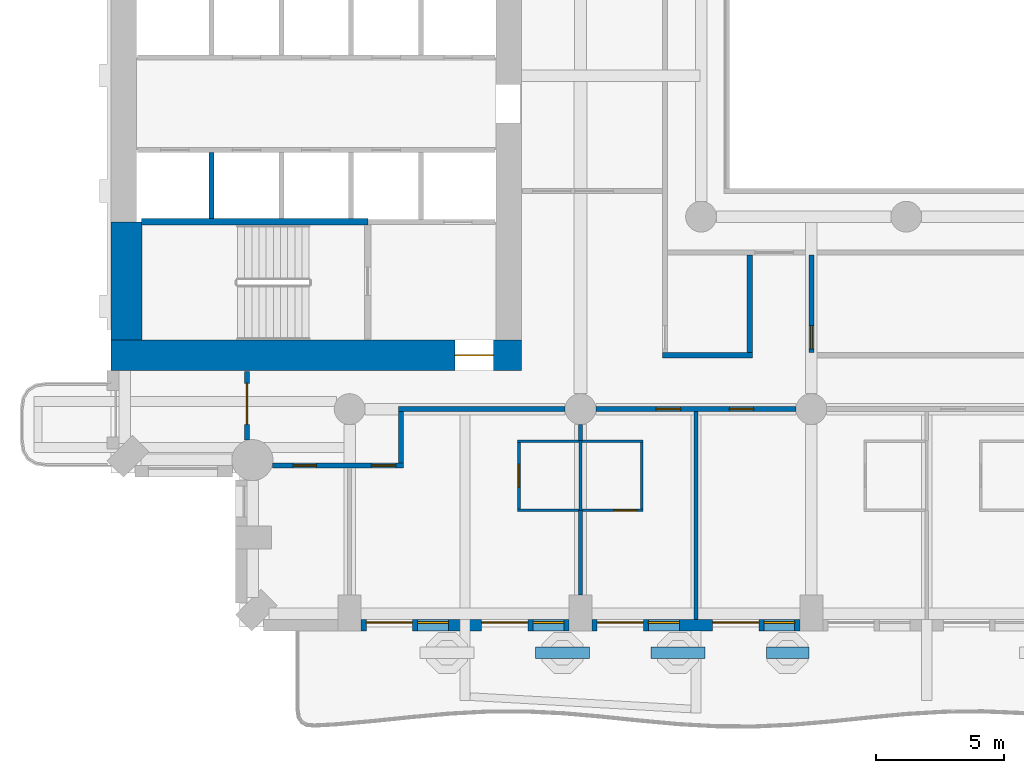
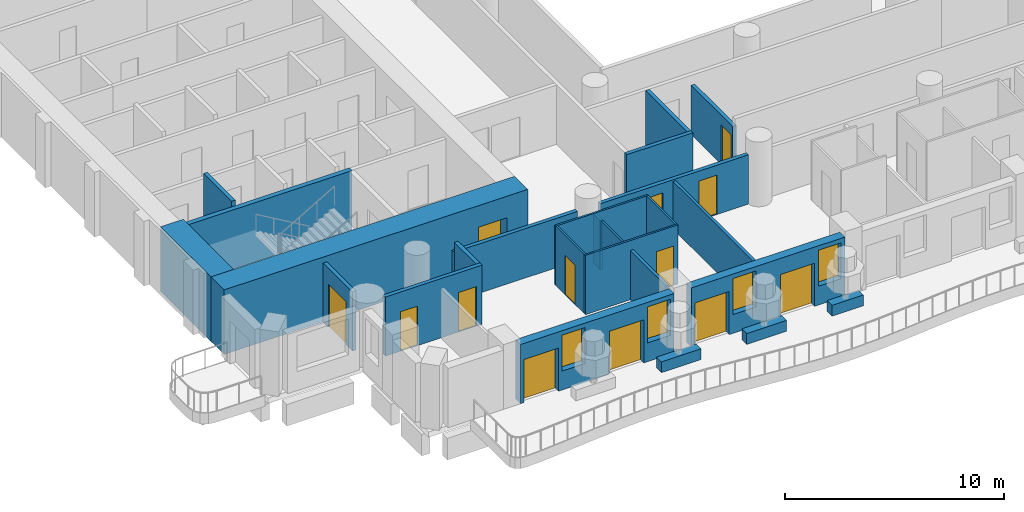
# One storey, part 3 of 20: 25 walls, 13 doors, 4 windows, 17 openings.
"""IFC4 building model written with IfcOpenShell, lengths in metres."""

from ifc_helpers import new_model, si_unit, direction, frame, frame_2d, origin, place, context, subcontext, project, spatial, rectangle, extrude, material, layer, layer_set, type_object, element, fill, save


model = new_model("IFC4")

# Units and contexts
model_context = context("Model", 3, precision=1e-05, world=origin(), true_north=direction((0.0, 1.0)))
body_context = subcontext(model_context, "Body", "Model", "MODEL_VIEW")
ifc_project = project(units=[si_unit("LENGTHUNIT", "METRE"), si_unit("AREAUNIT", "SQUARE_METRE"), si_unit("VOLUMEUNIT", "CUBIC_METRE"), si_unit("PLANEANGLEUNIT", "RADIAN"), si_unit("MASSUNIT", "GRAM", prefix="KILO")], contexts=[model_context])

# Site, building, storey
site_placement = place(None, origin())
site = spatial("IfcSite", under=ifc_project, at=site_placement, CompositionType="ELEMENT")
building_placement = place(site_placement, origin())
building = spatial("IfcBuilding", under=site, at=building_placement, Name="Cypress Arch Tower", CompositionType="ELEMENT")
storey_placement = place(building_placement, frame((0.0, 0.0, 55.5)))
storey = spatial("IfcBuildingStorey", under=building, at=storey_placement, Name="L07", CompositionType="ELEMENT", Elevation=55.5)

# Walls
ifc_material_1 = material(Name="Concrete C40/50, waterproofed", Category="concrete")
ifc_layer_1 = layer(ifc_material_1, 0.449951171875)
ifc_layer_set_1 = layer_set([ifc_layer_1], Name="Balcony planter wall PW450")
wall_type_1 = type_object("IfcWallType", Name="Balcony planter wall PW450", PredefinedType="SOLIDWALL", material=ifc_layer_set_1)
for number, where, z_axis, x_axis, name in (
    (1, (-13.449951171875, -27.0, 0.0), (0.0, 0.0, 1.0), (1.0, 0.0, 0.0), "Balcony planter wall L07-A03.2"),
    (2, (-8.949951171875, -27.0, 0.0), (0.0, 0.0, 1.0), (1.0, 0.0, 0.0), "Balcony planter wall L07-A03.3"),
):
    element("IfcWall", number, at=place(storey_placement, frame(where, z_axis=z_axis, x_axis=x_axis)), inside=storey, type_object=wall_type_1, Name=name, PredefinedType="SOLIDWALL", context=body_context, shape_type="SweptSolid", body=[
        extrude(rectangle(XDim=2.099853515625, YDim=0.449951171875, at=frame_2d((1.0498046875, 0.0))), origin(), (0.0, 0.0, 1.0), 0.60009765625),
    ])
wall_1_placement = place(storey_placement, frame((-4.449951171875, -27.0, 0.0), z_axis=(0.0, 0.0, 1.0), x_axis=(1.0, 0.0, 0.0)))
element("IfcWall", 3, at=wall_1_placement, inside=storey, type_object=wall_type_1, Name="Balcony planter wall L07-A03.4", PredefinedType="SOLIDWALL", context=body_context, shape_type="SweptSolid", body=[
    extrude(rectangle(XDim=1.64990234375, YDim=0.449951171875, at=frame_2d((0.824951171875, 0.0))), origin(), (0.0, 0.0, 1.0), 0.60009765625),
])

# Wall, openings, doors, windows
ifc_material_2 = material(Name="Brick (red buff blend)", Category="masonry")
ifc_layer_2 = layer(ifc_material_2, 0.449951171875)
ifc_layer_set_2 = layer_set([ifc_layer_2], Name="Brick pier and spandrel wall BW450")
wall_type_2 = type_object("IfcWallType", Name="Brick pier and spandrel wall BW450", PredefinedType="SOLIDWALL", material=ifc_layer_set_2)
wall_2_placement = place(storey_placement, frame((-20.25, -25.925048828125, 0.0), z_axis=(0.0, 0.0, 1.0), x_axis=(1.0, 0.0, 0.0)))
wall_2 = element("IfcWall", 4, at=wall_2_placement, inside=storey, type_object=wall_type_2, Name="Brick wall L07 A03.1", PredefinedType="SOLIDWALL", context=body_context, shape_type="SweptSolid", body=[
    extrude(rectangle(XDim=8.10009765625, YDim=0.449951171875, at=frame_2d((4.050048828125, 0.0))), origin(), (0.0, 0.0, 1.0), 3.300048828125),
])
opening_1_placement = place(wall_2_placement, frame((0.199951171875, 0.0, 0.0)))
opening_1 = element("IfcOpeningElement", 5, at=opening_1_placement, cuts=wall_2, Name="Opening D-L07-A03.1.1", PredefinedType="OPENING", context=body_context, shape_type="SweptSolid", body=[
    extrude(rectangle(XDim=1.800048828125, YDim=2.39990234375, at=frame_2d((0.89990234375, 1.199951171875))), frame((0.0, 0.23486328125, 0.0), z_axis=(0.0, -1.0, 0.0), x_axis=(1.0, 0.0, 0.0)), (0.0, 0.0, 1.0), 0.469970703125),
])
opening_2_placement = place(wall_2_placement, frame((2.199951171875, 0.0, 1.050048828125)))
opening_2 = element("IfcOpeningElement", 6, at=opening_2_placement, cuts=wall_2, Name="Opening W120HD", PredefinedType="OPENING", context=body_context, shape_type="SweptSolid", body=[
    extrude(rectangle(XDim=1.199951171875, YDim=2.0, at=frame_2d((0.60009765625, 1.0))), frame((0.0, 0.23486328125, 0.0), z_axis=(0.0, -1.0, 0.0), x_axis=(1.0, 0.0, 0.0)), (0.0, 0.0, 1.0), 0.469970703125),
])
opening_3_placement = place(wall_2_placement, frame((4.699951171875, 0.0, 0.0)))
opening_3 = element("IfcOpeningElement", 7, at=opening_3_placement, cuts=wall_2, Name="Opening D-L07-A03.1.2", PredefinedType="OPENING", context=body_context, shape_type="SweptSolid", body=[
    extrude(rectangle(XDim=1.800048828125, YDim=2.39990234375, at=frame_2d((0.89990234375, 1.199951171875))), frame((0.0, 0.23486328125, 0.0), z_axis=(0.0, -1.0, 0.0), x_axis=(1.0, 0.0, 0.0)), (0.0, 0.0, 1.0), 0.469970703125),
])
opening_4_placement = place(wall_2_placement, frame((6.699951171875, 0.0, 1.050048828125)))
opening_4 = element("IfcOpeningElement", 8, at=opening_4_placement, cuts=wall_2, Name="Opening W120HD", PredefinedType="OPENING", context=body_context, shape_type="SweptSolid", body=[
    extrude(rectangle(XDim=1.199951171875, YDim=2.0, at=frame_2d((0.60009765625, 1.0))), frame((0.0, 0.23486328125, 0.0), z_axis=(0.0, -1.0, 0.0), x_axis=(1.0, 0.0, 0.0)), (0.0, 0.0, 1.0), 0.469970703125),
])
ifc_material_3 = material(Name="Anodised aluminium, bronze finish, laminated low-emissivity double glazing, large-missile impact rated", Category="aluminium")
door_type_1 = type_object("IfcDoorType", Name="Balcony sliding door 1800x2400", OperationType="SLIDING_TO_LEFT", PredefinedType="DOOR", material=ifc_material_3)
door_1_placement = place(opening_1_placement, origin())
door_1 = element("IfcDoor", 9, at=door_1_placement, inside=storey, type_object=door_type_1, Name="Balcony door L07 A03.1.1", OperationType="SLIDING_TO_LEFT", OverallHeight=2.39990234375, OverallWidth=1.800048828125, PredefinedType="DOOR", context=body_context, shape_type="SweptSolid", body=[
    extrude(rectangle(XDim=1.800048828125, YDim=2.39990234375, at=frame_2d((0.89990234375, 1.199951171875))), frame((0.0, 0.1298828125, 0.0), z_axis=(0.0, -1.0, 0.0), x_axis=(1.0, 0.0, 0.0)), (0.0, 0.0, 1.0), 0.050048828125),
])
fill(opening_1, door_1)
door_2_placement = place(opening_3_placement, origin())
door_2 = element("IfcDoor", 10, at=door_2_placement, inside=storey, type_object=door_type_1, Name="Balcony door L07 A03.1.2", OperationType="SLIDING_TO_LEFT", OverallHeight=2.39990234375, OverallWidth=1.800048828125, PredefinedType="DOOR", context=body_context, shape_type="SweptSolid", body=[
    extrude(rectangle(XDim=1.800048828125, YDim=2.39990234375, at=frame_2d((0.89990234375, 1.199951171875))), frame((0.0, 0.1298828125, 0.0), z_axis=(0.0, -1.0, 0.0), x_axis=(1.0, 0.0, 0.0)), (0.0, 0.0, 1.0), 0.050048828125),
])
fill(opening_3, door_2)
ifc_material_4 = material(Name="Anodised aluminium, bronze finish, laminated low-emissivity double glazing, large-missile impact rated", Category="aluminium")
window_type = type_object("IfcWindowType", Name="Window Hotel 1200x2000 debris-rated", PartitioningType="SINGLE_PANEL", PredefinedType="WINDOW", material=ifc_material_4)
window_1_placement = place(opening_2_placement, origin())
window_1 = element("IfcWindow", 11, at=window_1_placement, inside=storey, type_object=window_type, Name="Window L07 A03.1.1", OverallHeight=2.0, OverallWidth=1.199951171875, PartitioningType="SINGLE_PANEL", PredefinedType="WINDOW", context=body_context, shape_type="SweptSolid", body=[
    extrude(rectangle(XDim=1.199951171875, YDim=2.0, at=frame_2d((0.60009765625, 1.0))), frame((0.0, 0.135009765625, 0.0), z_axis=(0.0, -1.0, 0.0), x_axis=(1.0, 0.0, 0.0)), (0.0, 0.0, 1.0), 0.06005859375),
])
fill(opening_2, window_1)
window_2_placement = place(opening_4_placement, origin())
window_2 = element("IfcWindow", 12, at=window_2_placement, inside=storey, type_object=window_type, Name="Window L07 A03.1.2", OverallHeight=2.0, OverallWidth=1.199951171875, PartitioningType="SINGLE_PANEL", PredefinedType="WINDOW", context=body_context, shape_type="SweptSolid", body=[
    extrude(rectangle(XDim=1.199951171875, YDim=2.0, at=frame_2d((0.60009765625, 1.0))), frame((0.0, 0.135009765625, 0.0), z_axis=(0.0, -1.0, 0.0), x_axis=(1.0, 0.0, 0.0)), (0.0, 0.0, 1.0), 0.06005859375),
])
fill(opening_4, window_2)

wall_3_placement = place(storey_placement, frame((-11.25, -25.925048828125, 0.0), z_axis=(0.0, 0.0, 1.0), x_axis=(1.0, 0.0, 0.0)))
wall_3 = element("IfcWall", 13, at=wall_3_placement, inside=storey, type_object=wall_type_2, Name="Brick wall L07 A03.2", PredefinedType="SOLIDWALL", context=body_context, shape_type="SweptSolid", body=[
    extrude(rectangle(XDim=8.10009765625, YDim=0.449951171875, at=frame_2d((4.050048828125, 0.0))), origin(), (0.0, 0.0, 1.0), 3.300048828125),
])
opening_5_placement = place(wall_3_placement, frame((0.199951171875, 0.0, 0.0)))
opening_5 = element("IfcOpeningElement", 14, at=opening_5_placement, cuts=wall_3, Name="Opening D-L07-A03.2.1", PredefinedType="OPENING", context=body_context, shape_type="SweptSolid", body=[
    extrude(rectangle(XDim=1.800048828125, YDim=2.39990234375, at=frame_2d((0.89990234375, 1.199951171875))), frame((0.0, 0.23486328125, 0.0), z_axis=(0.0, -1.0, 0.0), x_axis=(1.0, 0.0, 0.0)), (0.0, 0.0, 1.0), 0.469970703125),
])
opening_6_placement = place(wall_3_placement, frame((2.199951171875, 0.0, 1.050048828125)))
opening_6 = element("IfcOpeningElement", 15, at=opening_6_placement, cuts=wall_3, Name="Opening W120HD", PredefinedType="OPENING", context=body_context, shape_type="SweptSolid", body=[
    extrude(rectangle(XDim=1.199951171875, YDim=2.0, at=frame_2d((0.60009765625, 1.0))), frame((0.0, 0.23486328125, 0.0), z_axis=(0.0, -1.0, 0.0), x_axis=(1.0, 0.0, 0.0)), (0.0, 0.0, 1.0), 0.469970703125),
])
opening_7_placement = place(wall_3_placement, frame((4.699951171875, 0.0, 0.0)))
opening_7 = element("IfcOpeningElement", 16, at=opening_7_placement, cuts=wall_3, Name="Opening D-L07-A03.2.2", PredefinedType="OPENING", context=body_context, shape_type="SweptSolid", body=[
    extrude(rectangle(XDim=1.800048828125, YDim=2.39990234375, at=frame_2d((0.89990234375, 1.199951171875))), frame((0.0, 0.23486328125, 0.0), z_axis=(0.0, -1.0, 0.0), x_axis=(1.0, 0.0, 0.0)), (0.0, 0.0, 1.0), 0.469970703125),
])
opening_8_placement = place(wall_3_placement, frame((6.699951171875, 0.0, 1.050048828125)))
opening_8 = element("IfcOpeningElement", 17, at=opening_8_placement, cuts=wall_3, Name="Opening W120HD", PredefinedType="OPENING", context=body_context, shape_type="SweptSolid", body=[
    extrude(rectangle(XDim=1.199951171875, YDim=2.0, at=frame_2d((0.60009765625, 1.0))), frame((0.0, 0.23486328125, 0.0), z_axis=(0.0, -1.0, 0.0), x_axis=(1.0, 0.0, 0.0)), (0.0, 0.0, 1.0), 0.469970703125),
])
door_3_placement = place(opening_5_placement, origin())
door_3 = element("IfcDoor", 18, at=door_3_placement, inside=storey, type_object=door_type_1, Name="Balcony door L07 A03.2.1", OperationType="SLIDING_TO_LEFT", OverallHeight=2.39990234375, OverallWidth=1.800048828125, PredefinedType="DOOR", context=body_context, shape_type="SweptSolid", body=[
    extrude(rectangle(XDim=1.800048828125, YDim=2.39990234375, at=frame_2d((0.89990234375, 1.199951171875))), frame((0.0, 0.1298828125, 0.0), z_axis=(0.0, -1.0, 0.0), x_axis=(1.0, 0.0, 0.0)), (0.0, 0.0, 1.0), 0.050048828125),
])
fill(opening_5, door_3)
door_4_placement = place(opening_7_placement, origin())
door_4 = element("IfcDoor", 19, at=door_4_placement, inside=storey, type_object=door_type_1, Name="Balcony door L07 A03.2.2", OperationType="SLIDING_TO_LEFT", OverallHeight=2.39990234375, OverallWidth=1.800048828125, PredefinedType="DOOR", context=body_context, shape_type="SweptSolid", body=[
    extrude(rectangle(XDim=1.800048828125, YDim=2.39990234375, at=frame_2d((0.89990234375, 1.199951171875))), frame((0.0, 0.1298828125, 0.0), z_axis=(0.0, -1.0, 0.0), x_axis=(1.0, 0.0, 0.0)), (0.0, 0.0, 1.0), 0.050048828125),
])
fill(opening_7, door_4)
window_3_placement = place(opening_6_placement, origin())
window_3 = element("IfcWindow", 20, at=window_3_placement, inside=storey, type_object=window_type, Name="Window L07 A03.2.1", OverallHeight=2.0, OverallWidth=1.199951171875, PartitioningType="SINGLE_PANEL", PredefinedType="WINDOW", context=body_context, shape_type="SweptSolid", body=[
    extrude(rectangle(XDim=1.199951171875, YDim=2.0, at=frame_2d((0.60009765625, 1.0))), frame((0.0, 0.135009765625, 0.0), z_axis=(0.0, -1.0, 0.0), x_axis=(1.0, 0.0, 0.0)), (0.0, 0.0, 1.0), 0.06005859375),
])
fill(opening_6, window_3)
window_4_placement = place(opening_8_placement, origin())
window_4 = element("IfcWindow", 21, at=window_4_placement, inside=storey, type_object=window_type, Name="Window L07 A03.2.2", OverallHeight=2.0, OverallWidth=1.199951171875, PartitioningType="SINGLE_PANEL", PredefinedType="WINDOW", context=body_context, shape_type="SweptSolid", body=[
    extrude(rectangle(XDim=1.199951171875, YDim=2.0, at=frame_2d((0.60009765625, 1.0))), frame((0.0, 0.135009765625, 0.0), z_axis=(0.0, -1.0, 0.0), x_axis=(1.0, 0.0, 0.0)), (0.0, 0.0, 1.0), 0.06005859375),
])
fill(opening_8, window_4)

# Wall, opening, door
ifc_material_5 = material(Name="Concrete C80/95", Category="concrete")
ifc_layer_3 = layer(ifc_material_5, 1.199951171875)
ifc_layer_set_3 = layer_set([ifc_layer_3], Name="Core wall CW1200 C80/95")
wall_type_3 = type_object("IfcWallType", Name="Core wall CW1200 C80/95", PredefinedType="SHEAR", material=ifc_layer_set_3)
wall_4_placement = place(storey_placement, frame((-30.0, -15.39990234375, 0.0), z_axis=(0.0, 0.0, 1.0), x_axis=(1.0, 0.0, 0.0)))
wall_4 = element("IfcWall", 22, at=wall_4_placement, inside=storey, type_object=wall_type_3, Name="Core wall", PredefinedType="SHEAR", context=body_context, shape_type="SweptSolid", body=[
    extrude(rectangle(XDim=16.0, YDim=1.199951171875, at=frame_2d((8.0, 0.0))), origin(), (0.0, 0.0, 1.0), 3.60009765625),
])
opening_9_placement = place(wall_4_placement, frame((13.39990234375, 0.0, 0.0)))
opening_9 = element("IfcOpeningElement", 23, at=opening_9_placement, cuts=wall_4, Name="Opening D07", PredefinedType="OPENING", context=body_context, shape_type="SweptSolid", body=[
    extrude(rectangle(XDim=1.5, YDim=2.39990234375, at=frame_2d((0.75, 1.199951171875))), frame((0.0, 0.60986328125, 0.0), z_axis=(0.0, -1.0, 0.0), x_axis=(1.0, 0.0, 0.0)), (0.0, 0.0, 1.0), 1.219970703125),
])
ifc_material_6 = material(Name="Steel framed glazed door, fire resisting", Category="steel")
door_type_2 = type_object("IfcDoorType", Name="Lobby door D07 1500x2400", OperationType="DOUBLE_DOOR_SINGLE_SWING", PredefinedType="DOOR", material=ifc_material_6)
door_5_placement = place(opening_9_placement, origin())
door_5 = element("IfcDoor", 24, at=door_5_placement, inside=storey, type_object=door_type_2, Name="Lobby door", OperationType="DOUBLE_DOOR_SINGLE_SWING", OverallHeight=2.39990234375, OverallWidth=1.5, PredefinedType="DOOR", context=body_context, shape_type="SweptSolid", body=[
    extrude(rectangle(XDim=1.5, YDim=2.39990234375, at=frame_2d((0.75, 1.199951171875))), frame((0.0, 0.02490234375, 0.0), z_axis=(0.0, -1.0, 0.0), x_axis=(1.0, 0.0, 0.0)), (0.0, 0.0, 1.0), 0.050048828125),
])
fill(opening_9, door_5)

# Wall
wall_5_placement = place(storey_placement, frame((-29.39990234375, -14.800048828125, 0.0), z_axis=(0.0, 0.0, 1.0), x_axis=(0.0, 1.0, 0.0)))
element("IfcWall", 25, at=wall_5_placement, inside=storey, type_object=wall_type_3, Name="Core wall", PredefinedType="SHEAR", context=body_context, shape_type="SweptSolid", body=[
    extrude(rectangle(XDim=4.60009765625, YDim=1.199951171875, at=frame_2d((2.300048828125, 0.0))), origin(), (0.0, 0.0, 1.0), 3.60009765625),
])

# Wall, opening, door
ifc_material_7 = material(Name="Concrete blockwork, plastered, rated", Category="masonry")
ifc_layer_4 = layer(ifc_material_7, 0.199951171875)
ifc_layer_set_4 = layer_set([ifc_layer_4], Name="Corridor wall FW200")
wall_type_4 = type_object("IfcWallType", Name="Corridor wall FW200", PredefinedType="PARTITIONING", material=ifc_layer_set_4)
wall_6_placement = place(storey_placement, frame((-24.699951171875, -18.7001953125, 0.0), z_axis=(0.0, 0.0, 1.0), x_axis=(0.0, 1.0, 0.0)))
wall_6 = element("IfcWall", 26, at=wall_6_placement, inside=storey, type_object=wall_type_4, Name="Corridor wall", PredefinedType="PARTITIONING", context=body_context, shape_type="SweptSolid", body=[
    extrude(rectangle(XDim=2.670166015625, YDim=0.199951171875, at=frame_2d((1.3349609375, 0.0))), origin(), (0.0, 0.0, 1.0), 3.300048828125),
])
opening_10_placement = place(wall_6_placement, frame((0.60009765625, 0.0, 0.0)))
opening_10 = element("IfcOpeningElement", 27, at=opening_10_placement, cuts=wall_6, Name="Opening D10", PredefinedType="OPENING", context=body_context, shape_type="SweptSolid", body=[
    extrude(rectangle(XDim=1.60009765625, YDim=2.39990234375, at=frame_2d((0.800048828125, 1.199951171875))), frame((0.0, 0.10986328125, 0.0), z_axis=(0.0, -1.0, 0.0), x_axis=(1.0, 0.0, 0.0)), (0.0, 0.0, 1.0), 0.219970703125),
])
ifc_material_8 = material(Name="Black aluminium glazed door", Category="aluminium")
door_type_3 = type_object("IfcDoorType", Name="Amenity door D10 1600x2400", OperationType="DOUBLE_DOOR_SINGLE_SWING", PredefinedType="DOOR", material=ifc_material_8)
door_6_placement = place(opening_10_placement, origin())
door_6 = element("IfcDoor", 28, at=door_6_placement, inside=storey, type_object=door_type_3, Name="Amenity door", OperationType="DOUBLE_DOOR_SINGLE_SWING", OverallHeight=2.39990234375, OverallWidth=1.60009765625, PredefinedType="DOOR", context=body_context, shape_type="SweptSolid", body=[
    extrude(rectangle(XDim=1.60009765625, YDim=2.39990234375, at=frame_2d((0.800048828125, 1.199951171875))), frame((0.0, 0.02490234375, 0.0), z_axis=(0.0, -1.0, 0.0), x_axis=(1.0, 0.0, 0.0)), (0.0, 0.0, 1.0), 0.050048828125),
])
fill(opening_10, door_6)

# Wall, openings, doors
wall_7_placement = place(storey_placement, frame((-23.7001953125, -19.699951171875, 0.0), z_axis=(0.0, 0.0, 1.0), x_axis=(1.0, 0.0, 0.0)))
wall_7 = element("IfcWall", 29, at=wall_7_placement, inside=storey, type_object=wall_type_4, Name="Corridor wall", PredefinedType="PARTITIONING", context=body_context, shape_type="SweptSolid", body=[
    extrude(rectangle(XDim=5.10009765625, YDim=0.199951171875, at=frame_2d((2.550048828125, 0.0))), origin(), (0.0, 0.0, 1.0), 3.300048828125),
])
opening_11_placement = place(wall_7_placement, frame((0.800048828125, 0.0, 0.0)))
opening_11 = element("IfcOpeningElement", 30, at=opening_11_placement, cuts=wall_7, Name="Opening D05", PredefinedType="OPENING", context=body_context, shape_type="SweptSolid", body=[
    extrude(rectangle(XDim=0.89990234375, YDim=2.199951171875, at=frame_2d((0.449951171875, 1.10009765625))), frame((0.0, 0.10986328125, 0.0), z_axis=(0.0, -1.0, 0.0), x_axis=(1.0, 0.0, 0.0)), (0.0, 0.0, 1.0), 0.219970703125),
])
opening_12_placement = place(wall_7_placement, frame((3.85009765625, 0.0, 0.0)))
opening_12 = element("IfcOpeningElement", 31, at=opening_12_placement, cuts=wall_7, Name="Opening D02", PredefinedType="OPENING", context=body_context, shape_type="SweptSolid", body=[
    extrude(rectangle(XDim=0.949951171875, YDim=2.199951171875, at=frame_2d((0.47509765625, 1.10009765625))), frame((0.0, 0.10986328125, 0.0), z_axis=(0.0, -1.0, 0.0), x_axis=(1.0, 0.0, 0.0)), (0.0, 0.0, 1.0), 0.219970703125),
])
ifc_material_9 = material(Name="Timber flush door, fire resisting", Category="wood")
door_type_4 = type_object("IfcDoorType", Name="Room door D02 950x2200", OperationType="SINGLE_SWING_LEFT", PredefinedType="DOOR", material=ifc_material_9)
door_7_placement = place(opening_12_placement, origin())
door_7 = element("IfcDoor", 32, at=door_7_placement, inside=storey, type_object=door_type_4, Name="Room door", OperationType="SINGLE_SWING_RIGHT", OverallHeight=2.199951171875, OverallWidth=0.949951171875, PredefinedType="DOOR", context=body_context, shape_type="SweptSolid", body=[
    extrude(rectangle(XDim=0.949951171875, YDim=2.199951171875, at=frame_2d((0.47509765625, 1.10009765625))), frame((0.0, 0.02490234375, 0.0), z_axis=(0.0, -1.0, 0.0), x_axis=(1.0, 0.0, 0.0)), (0.0, 0.0, 1.0), 0.050048828125),
])
fill(opening_12, door_7)
ifc_material_10 = material(Name="Timber flush door", Category="wood")
door_type_5 = type_object("IfcDoorType", Name="Service door D05 900x2200", OperationType="SINGLE_SWING_LEFT", PredefinedType="DOOR", material=ifc_material_10)
door_8_placement = place(opening_11_placement, origin())
door_8 = element("IfcDoor", 33, at=door_8_placement, inside=storey, type_object=door_type_5, Name="Service door", OperationType="SINGLE_SWING_RIGHT", OverallHeight=2.199951171875, OverallWidth=0.89990234375, PredefinedType="DOOR", context=body_context, shape_type="SweptSolid", body=[
    extrude(rectangle(XDim=0.89990234375, YDim=2.199951171875, at=frame_2d((0.449951171875, 1.10009765625))), frame((0.0, 0.02490234375, 0.0), z_axis=(0.0, -1.0, 0.0), x_axis=(1.0, 0.0, 0.0)), (0.0, 0.0, 1.0), 0.050048828125),
])
fill(opening_11, door_8)

# Walls
wall_8_placement = place(storey_placement, frame((-18.699951171875, -19.60009765625, 0.0), z_axis=(0.0, 0.0, 1.0), x_axis=(0.0, 1.0, 0.0)))
element("IfcWall", 34, at=wall_8_placement, inside=storey, type_object=wall_type_4, Name="Corridor wall", PredefinedType="PARTITIONING", context=body_context, shape_type="SweptSolid", body=[
    extrude(rectangle(XDim=2.0, YDim=0.199951171875, at=frame_2d((1.0, 0.0))), origin(), (0.0, 0.0, 1.0), 3.300048828125),
])
wall_9_placement = place(storey_placement, frame((-18.800048828125, -17.5, 0.0), z_axis=(0.0, 0.0, 1.0), x_axis=(1.0, 0.0, 0.0)))
element("IfcWall", 35, at=wall_9_placement, inside=storey, type_object=wall_type_4, Name="Corridor wall", PredefinedType="PARTITIONING", context=body_context, shape_type="SweptSolid", body=[
    extrude(rectangle(XDim=6.5, YDim=0.199951171875, at=frame_2d((3.25, 0.0))), origin(), (0.0, 0.0, 1.0), 2.75),
])

# Wall, openings, doors
wall_10_placement = place(storey_placement, frame((-11.10009765625, -17.5, 0.0), z_axis=(0.0, 0.0, 1.0), x_axis=(1.0, 0.0, 0.0)))
wall_10 = element("IfcWall", 36, at=wall_10_placement, inside=storey, type_object=wall_type_4, Name="Corridor wall", PredefinedType="PARTITIONING", context=body_context, shape_type="SweptSolid", body=[
    extrude(rectangle(XDim=7.800048828125, YDim=0.199951171875, at=frame_2d((3.89990234375, 0.0))), origin(), (0.0, 0.0, 1.0), 2.75),
])
opening_13_placement = place(wall_10_placement, frame((2.35009765625, 0.0, 0.0)))
opening_13 = element("IfcOpeningElement", 37, at=opening_13_placement, cuts=wall_10, Name="Opening D02", PredefinedType="OPENING", context=body_context, shape_type="SweptSolid", body=[
    extrude(rectangle(XDim=0.949951171875, YDim=2.199951171875, at=frame_2d((0.47509765625, 1.10009765625))), frame((0.0, 0.10986328125, 0.0), z_axis=(0.0, -1.0, 0.0), x_axis=(1.0, 0.0, 0.0)), (0.0, 0.0, 1.0), 0.219970703125),
])
opening_14_placement = place(wall_10_placement, frame((5.199951171875, 0.0, 0.0)))
opening_14 = element("IfcOpeningElement", 38, at=opening_14_placement, cuts=wall_10, Name="Opening D02", PredefinedType="OPENING", context=body_context, shape_type="SweptSolid", body=[
    extrude(rectangle(XDim=0.949951171875, YDim=2.199951171875, at=frame_2d((0.47509765625, 1.10009765625))), frame((0.0, 0.10986328125, 0.0), z_axis=(0.0, -1.0, 0.0), x_axis=(1.0, 0.0, 0.0)), (0.0, 0.0, 1.0), 0.219970703125),
])
door_9_placement = place(opening_13_placement, origin())
door_9 = element("IfcDoor", 39, at=door_9_placement, inside=storey, type_object=door_type_4, Name="Room door", OperationType="SINGLE_SWING_LEFT", OverallHeight=2.199951171875, OverallWidth=0.949951171875, PredefinedType="DOOR", context=body_context, shape_type="SweptSolid", body=[
    extrude(rectangle(XDim=0.949951171875, YDim=2.199951171875, at=frame_2d((0.47509765625, 1.10009765625))), frame((0.0, 0.02490234375, 0.0), z_axis=(0.0, -1.0, 0.0), x_axis=(1.0, 0.0, 0.0)), (0.0, 0.0, 1.0), 0.050048828125),
])
fill(opening_13, door_9)
door_10_placement = place(opening_14_placement, origin())
door_10 = element("IfcDoor", 40, at=door_10_placement, inside=storey, type_object=door_type_4, Name="Room door", OperationType="SINGLE_SWING_RIGHT", OverallHeight=2.199951171875, OverallWidth=0.949951171875, PredefinedType="DOOR", context=body_context, shape_type="SweptSolid", body=[
    extrude(rectangle(XDim=0.949951171875, YDim=2.199951171875, at=frame_2d((0.47509765625, 1.10009765625))), frame((0.0, 0.02490234375, 0.0), z_axis=(0.0, -1.0, 0.0), x_axis=(1.0, 0.0, 0.0)), (0.0, 0.0, 1.0), 0.050048828125),
])
fill(opening_14, door_10)

# Walls
wall_11_placement = place(storey_placement, frame((-8.5, -15.39990234375, 0.0), z_axis=(0.0, 0.0, 1.0), x_axis=(1.0, 0.0, 0.0)))
element("IfcWall", 41, at=wall_11_placement, inside=storey, type_object=wall_type_4, Name="Corridor wall", PredefinedType="PARTITIONING", context=body_context, shape_type="SweptSolid", body=[
    extrude(rectangle(XDim=3.5, YDim=0.199951171875, at=frame_2d((1.75, 0.0))), origin(), (0.0, 0.0, 1.0), 3.300048828125),
])
wall_12_placement = place(storey_placement, frame((-5.10009765625, -15.300048828125, 0.0), z_axis=(0.0, 0.0, 1.0), x_axis=(0.0, 1.0, 0.0)))
element("IfcWall", 42, at=wall_12_placement, inside=storey, type_object=wall_type_4, Name="Corridor wall", PredefinedType="PARTITIONING", context=body_context, shape_type="SweptSolid", body=[
    extrude(rectangle(XDim=3.800048828125, YDim=0.199951171875, at=frame_2d((1.89990234375, 0.0))), origin(), (0.0, 0.0, 1.0), 3.300048828125),
])

# Wall, opening, door
wall_13_placement = place(storey_placement, frame((-2.699951171875, -15.300048828125, 0.0), z_axis=(0.0, 0.0, 1.0), x_axis=(0.0, 1.0, 0.0)))
wall_13 = element("IfcWall", 43, at=wall_13_placement, inside=storey, type_object=wall_type_4, Name="Corridor wall", PredefinedType="PARTITIONING", context=body_context, shape_type="SweptSolid", body=[
    extrude(rectangle(XDim=3.800048828125, YDim=0.199951171875, at=frame_2d((1.89990234375, 0.0))), origin(), (0.0, 0.0, 1.0), 2.75),
])
opening_15_placement = place(wall_13_placement, frame((0.14990234375, 0.0, 0.0)))
opening_15 = element("IfcOpeningElement", 44, at=opening_15_placement, cuts=wall_13, Name="Opening D05", PredefinedType="OPENING", context=body_context, shape_type="SweptSolid", body=[
    extrude(rectangle(XDim=0.89990234375, YDim=2.199951171875, at=frame_2d((0.449951171875, 1.10009765625))), frame((0.0, 0.10986328125, 0.0), z_axis=(0.0, -1.0, 0.0), x_axis=(1.0, 0.0, 0.0)), (0.0, 0.0, 1.0), 0.219970703125),
])
door_11_placement = place(opening_15_placement, origin())
door_11 = element("IfcDoor", 45, at=door_11_placement, inside=storey, type_object=door_type_5, Name="Service door", OperationType="SINGLE_SWING_RIGHT", OverallHeight=2.199951171875, OverallWidth=0.89990234375, PredefinedType="DOOR", context=body_context, shape_type="SweptSolid", body=[
    extrude(rectangle(XDim=0.89990234375, YDim=2.199951171875, at=frame_2d((0.449951171875, 1.10009765625))), frame((0.0, 0.02490234375, 0.0), z_axis=(0.0, -1.0, 0.0), x_axis=(1.0, 0.0, 0.0)), (0.0, 0.0, 1.0), 0.050048828125),
])
fill(opening_15, door_11)

# Walls
ifc_material_11 = material(Name="Blockwork, plastered both sides", Category="masonry")
ifc_layer_5 = layer(ifc_material_11, 0.14990234375)
ifc_layer_set_5 = layer_set([ifc_layer_5], Name="Partition PW150")
wall_type_5 = type_object("IfcWallType", Name="Partition PW150", PredefinedType="PARTITIONING", material=ifc_layer_set_5)
wall_14_placement = place(storey_placement, frame((-11.699951171875, -24.75, 0.0), z_axis=(0.0, 0.0, 1.0), x_axis=(0.0, 1.0, 0.0)))
element("IfcWall", 46, at=wall_14_placement, inside=storey, type_object=wall_type_5, Name="Partition", PredefinedType="PARTITIONING", context=body_context, shape_type="SweptSolid", body=[
    extrude(rectangle(XDim=3.300048828125, YDim=0.14990234375, at=frame_2d((1.64990234375, 0.0))), origin(), (0.0, 0.0, 1.0), 2.75),
])
wall_15_placement = place(storey_placement, frame((-11.699951171875, -18.72998046875, 0.0), z_axis=(0.0, 0.0, 1.0), x_axis=(0.0, 1.0, 0.0)))
element("IfcWall", 47, at=wall_15_placement, inside=storey, type_object=wall_type_5, Name="Partition", PredefinedType="PARTITIONING", context=body_context, shape_type="SweptSolid", body=[
    extrude(rectangle(XDim=0.6298828125, YDim=0.14990234375, at=frame_2d((0.31494140625, 0.0))), origin(), (0.0, 0.0, 1.0), 2.75),
])
wall_16_placement = place(storey_placement, frame((-7.199951171875, -25.699951171875, 0.0), z_axis=(0.0, 0.0, 1.0), x_axis=(0.0, 1.0, 0.0)))
element("IfcWall", 48, at=wall_16_placement, inside=storey, type_object=wall_type_5, Name="Partition", PredefinedType="PARTITIONING", context=body_context, shape_type="SweptSolid", body=[
    extrude(rectangle(XDim=8.099853515625, YDim=0.14990234375, at=frame_2d((4.0498046875, 0.0))), origin(), (0.0, 0.0, 1.0), 2.64990234375),
])
ifc_material_12 = material(Name="Concrete C50/60", Category="concrete")
ifc_layer_6 = layer(ifc_material_12, 0.199951171875)
ifc_layer_set_6 = layer_set([ifc_layer_6], Name="Shaft wall SH200")
wall_type_6 = type_object("IfcWallType", Name="Shaft wall SH200", PredefinedType="SHEAR", material=ifc_layer_set_6)
wall_17_placement = place(storey_placement, frame((-26.080078125, -10.074951171875, 0.0), z_axis=(0.0, 0.0, 1.0), x_axis=(0.0, 1.0, 0.0)))
element("IfcWall", 49, at=wall_17_placement, inside=storey, type_object=wall_type_6, Name="Shaft wall", PredefinedType="SHEAR", context=body_context, shape_type="SweptSolid", body=[
    extrude(rectangle(XDim=2.574951171875, YDim=0.199951171875, at=frame_2d((1.28759765625, 0.0))), origin(), (0.0, 0.0, 1.0), 3.60009765625),
])
ifc_material_13 = material(Name="Concrete C50/60", Category="concrete")
ifc_layer_7 = layer(ifc_material_13, 0.25)
ifc_layer_set_7 = layer_set([ifc_layer_7], Name="Stair enclosure wall SW250")
wall_type_7 = type_object("IfcWallType", Name="Stair enclosure wall SW250", PredefinedType="SHEAR", material=ifc_layer_set_7)
wall_18_placement = place(storey_placement, frame((-28.81005859375, -10.199951171875, 0.0), z_axis=(0.0, 0.0, 1.0), x_axis=(1.0, 0.0, 0.0)))
element("IfcWall", 50, at=wall_18_placement, inside=storey, type_object=wall_type_7, Name="Stair enclosure wall", PredefinedType="SHEAR", context=body_context, shape_type="SweptSolid", body=[
    extrude(rectangle(XDim=8.830078125, YDim=0.25, at=frame_2d((4.4150390625, 0.0))), origin(), (0.0, 0.0, 1.0), 3.300048828125),
])

# Wall, opening, door
ifc_material_14 = material(Name="Moisture resistant board on steel studs, tiled", Category="steel")
ifc_layer_8 = layer(ifc_material_14, 0.10009765625)
ifc_layer_set_8 = layer_set([ifc_layer_8], Name="Wet wall PW100")
wall_type_8 = type_object("IfcWallType", Name="Wet wall PW100", PredefinedType="PARTITIONING", material=ifc_layer_set_8)
wall_19_placement = place(storey_placement, frame((-14.095947265625, -21.39990234375, 0.0), z_axis=(0.0, 0.0, 1.0), x_axis=(0.0, 1.0, 0.0)))
wall_19 = element("IfcWall", 51, at=wall_19_placement, inside=storey, type_object=wall_type_8, Name="Wet wall", PredefinedType="PARTITIONING", context=body_context, shape_type="SweptSolid", body=[
    extrude(rectangle(XDim=2.599853515625, YDim=0.10009765625, at=frame_2d((1.2998046875, 0.0))), origin(), (0.0, 0.0, 1.0), 3.300048828125),
])
opening_16_placement = place(wall_19_placement, frame((0.85009765625, 0.0, 0.0)))
opening_16 = element("IfcOpeningElement", 52, at=opening_16_placement, cuts=wall_19, Name="Opening D03", PredefinedType="OPENING", context=body_context, shape_type="SweptSolid", body=[
    extrude(rectangle(XDim=0.89990234375, YDim=2.199951171875, at=frame_2d((0.449951171875, 1.10009765625))), frame((0.0, 0.06005859375, 0.0), z_axis=(0.0, -1.0, 0.0), x_axis=(1.0, 0.0, 0.0)), (0.0, 0.0, 1.0), 0.1201171875),
])
ifc_material_15 = material(Name="Timber flush door, moisture resistant", Category="wood")
door_type_6 = type_object("IfcDoorType", Name="Bathroom door D03 900x2200", OperationType="SINGLE_SWING_LEFT", PredefinedType="DOOR", material=ifc_material_15)
door_12_placement = place(opening_16_placement, origin())
door_12 = element("IfcDoor", 53, at=door_12_placement, inside=storey, type_object=door_type_6, Name="Bathroom door", OperationType="SINGLE_SWING_LEFT", OverallHeight=2.199951171875, OverallWidth=0.89990234375, PredefinedType="DOOR", context=body_context, shape_type="SweptSolid", body=[
    extrude(rectangle(XDim=0.89990234375, YDim=2.199951171875, at=frame_2d((0.449951171875, 1.10009765625))), frame((0.0, 0.02490234375, 0.0), z_axis=(0.0, -1.0, 0.0), x_axis=(1.0, 0.0, 0.0)), (0.0, 0.0, 1.0), 0.050048828125),
])
fill(opening_16, door_12)

wall_20_placement = place(storey_placement, frame((-14.14599609375, -21.449951171875, 0.0), z_axis=(0.0, 0.0, 1.0), x_axis=(1.0, 0.0, 0.0)))
wall_20 = element("IfcWall", 54, at=wall_20_placement, inside=storey, type_object=wall_type_8, Name="Wet wall", PredefinedType="PARTITIONING", context=body_context, shape_type="SweptSolid", body=[
    extrude(rectangle(XDim=4.89208984375, YDim=0.10009765625, at=frame_2d((2.446044921875, 0.0))), origin(), (0.0, 0.0, 1.0), 3.300048828125),
])
opening_17_placement = place(wall_20_placement, frame((3.75, 0.0, 0.0)))
opening_17 = element("IfcOpeningElement", 55, at=opening_17_placement, cuts=wall_20, Name="Opening D03", PredefinedType="OPENING", context=body_context, shape_type="SweptSolid", body=[
    extrude(rectangle(XDim=0.89990234375, YDim=2.199951171875, at=frame_2d((0.449951171875, 1.10009765625))), frame((0.0, 0.06005859375, 0.0), z_axis=(0.0, -1.0, 0.0), x_axis=(1.0, 0.0, 0.0)), (0.0, 0.0, 1.0), 0.1201171875),
])
door_13_placement = place(opening_17_placement, origin())
door_13 = element("IfcDoor", 56, at=door_13_placement, inside=storey, type_object=door_type_6, Name="Bathroom door", OperationType="SINGLE_SWING_RIGHT", OverallHeight=2.199951171875, OverallWidth=0.89990234375, PredefinedType="DOOR", context=body_context, shape_type="SweptSolid", body=[
    extrude(rectangle(XDim=0.89990234375, YDim=2.199951171875, at=frame_2d((0.449951171875, 1.10009765625))), frame((0.0, 0.02490234375, 0.0), z_axis=(0.0, -1.0, 0.0), x_axis=(1.0, 0.0, 0.0)), (0.0, 0.0, 1.0), 0.050048828125),
])
fill(opening_17, door_13)

# Walls
wall_21_placement = place(storey_placement, frame((-14.14599609375, -18.75, 0.0), z_axis=(0.0, 0.0, 1.0), x_axis=(1.0, 0.0, 0.0)))
element("IfcWall", 57, at=wall_21_placement, inside=storey, type_object=wall_type_8, Name="Wet wall", PredefinedType="PARTITIONING", context=body_context, shape_type="SweptSolid", body=[
    extrude(rectangle(XDim=4.89208984375, YDim=0.10009765625, at=frame_2d((2.446044921875, 0.0))), origin(), (0.0, 0.0, 1.0), 3.300048828125),
])
wall_22_placement = place(storey_placement, frame((-11.699951171875, -21.449951171875, 0.0), z_axis=(0.0, 0.0, 1.0), x_axis=(0.0, 1.0, 0.0)))
element("IfcWall", 58, at=wall_22_placement, inside=storey, type_object=wall_type_8, Name="Wet wall", PredefinedType="PARTITIONING", context=body_context, shape_type="SweptSolid", body=[
    extrude(rectangle(XDim=2.719970703125, YDim=0.10009765625, at=frame_2d((1.35986328125, 0.0))), origin(), (0.0, 0.0, 1.0), 2.75),
])
wall_23_placement = place(storey_placement, frame((-9.303955078125, -21.39990234375, 0.0), z_axis=(0.0, 0.0, 1.0), x_axis=(0.0, 1.0, 0.0)))
element("IfcWall", 59, at=wall_23_placement, inside=storey, type_object=wall_type_8, Name="Wet wall", PredefinedType="PARTITIONING", context=body_context, shape_type="SweptSolid", body=[
    extrude(rectangle(XDim=2.599853515625, YDim=0.10009765625, at=frame_2d((1.2998046875, 0.0))), origin(), (0.0, 0.0, 1.0), 3.300048828125),
])

save(model, "model.ifc")
